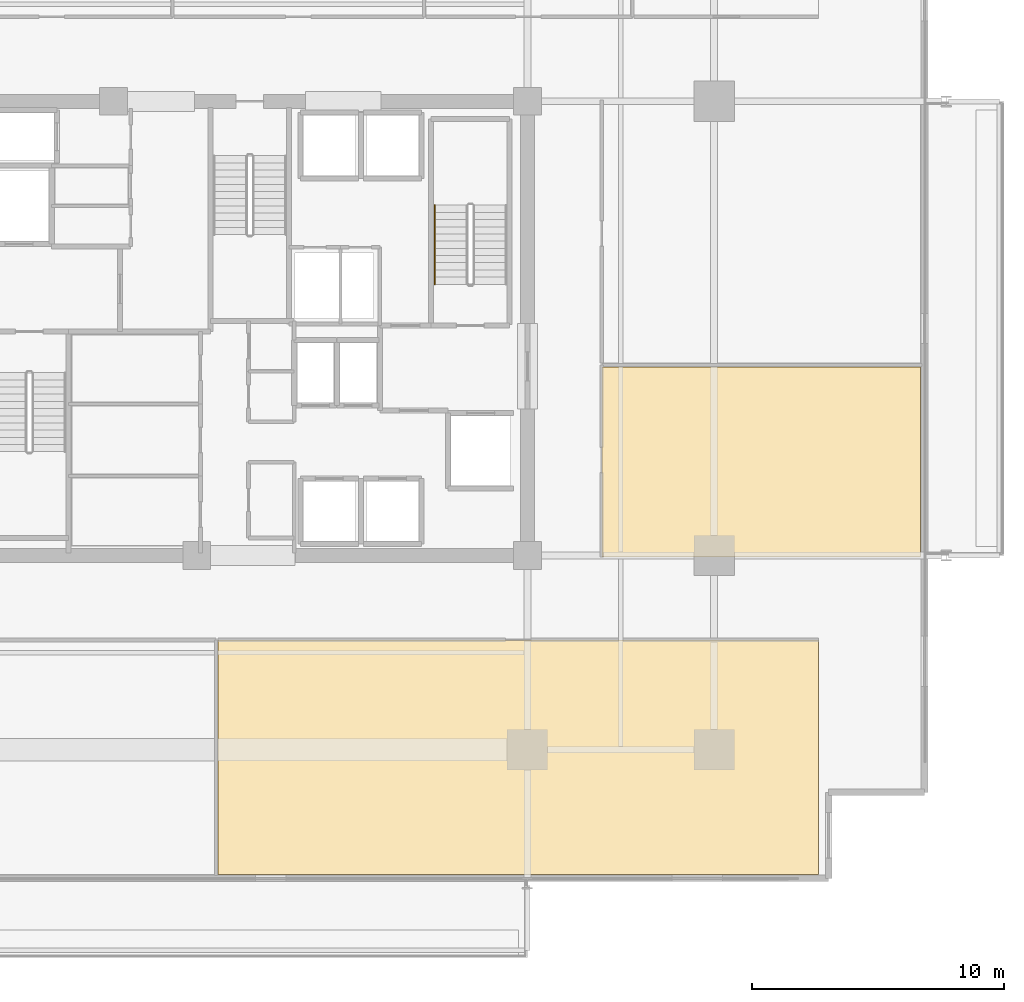
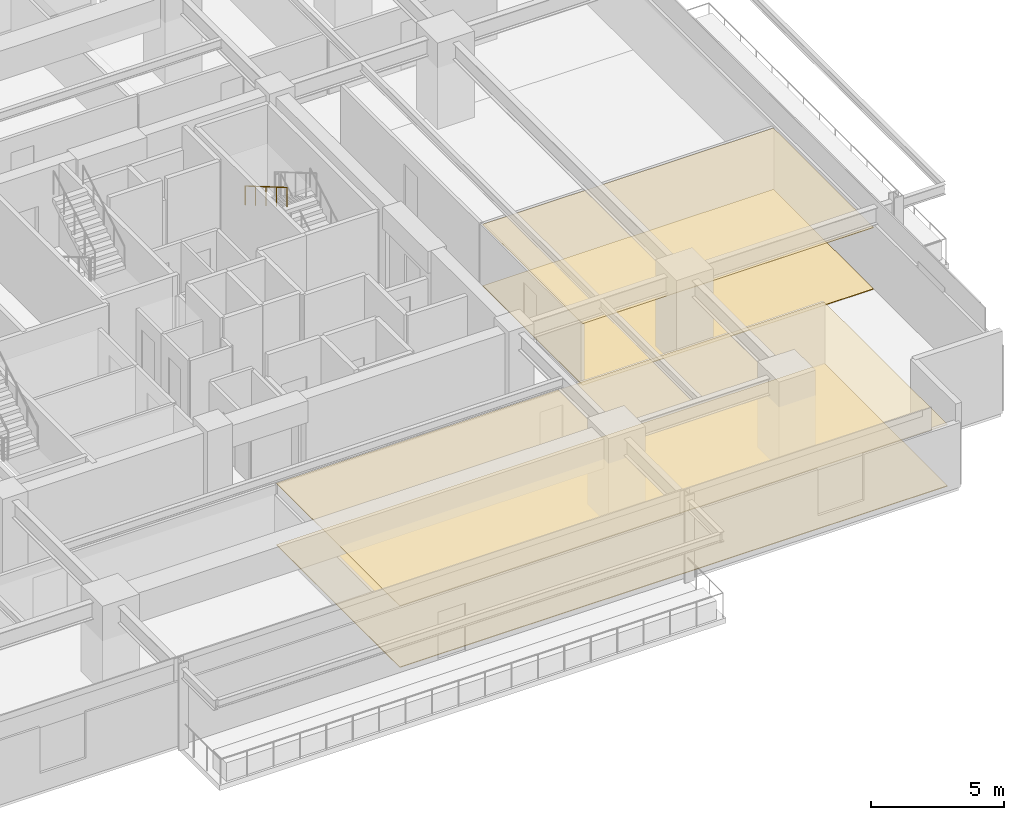
# One storey, part 19 of 21: 4 coverings, 1 railing.
"""IFC4 building model written with IfcOpenShell, lengths in metres."""

from ifc_helpers import new_model, si_unit, direction, frame, origin, origin_2d, place, context, subcontext, project, spatial, polyline, circle, outline, extrude, material, layer, layer_set, type_object, element, save


model = new_model("IFC4")

# Units and contexts
model_context = context("Model", 3, precision=1e-05, world=origin(), true_north=direction((0.0, 1.0)))
body_context = subcontext(model_context, "Body", "Model", "MODEL_VIEW")
ifc_project = project(units=[si_unit("LENGTHUNIT", "METRE"), si_unit("AREAUNIT", "SQUARE_METRE"), si_unit("VOLUMEUNIT", "CUBIC_METRE"), si_unit("PLANEANGLEUNIT", "RADIAN"), si_unit("MASSUNIT", "GRAM", prefix="KILO")], contexts=[model_context])

# Site, building, storey
site_placement = place(None, origin())
site = spatial("IfcSite", under=ifc_project, at=site_placement, CompositionType="ELEMENT")
building_placement = place(site_placement, origin())
building = spatial("IfcBuilding", under=site, at=building_placement, Name="Kovane Verandah Tower", CompositionType="ELEMENT")
storey_placement = place(building_placement, frame((0.0, 0.0, 172.39990234375)))
storey = spatial("IfcBuildingStorey", under=building, at=storey_placement, Name="L40", CompositionType="ELEMENT", Elevation=172.39990234375)

# Coverings
ifc_material_1 = material(Name="Perforated Acoustic Mineral-Fibre Ceiling Tile", Category="gypsum")
ifc_layer_1 = layer(ifc_material_1, 0.02490234375)
ifc_layer_set_1 = layer_set([ifc_layer_1], Name="Perforated Acoustic Mineral-Fibre Ceiling Tile")
covering_type_1 = type_object("IfcCoveringType", Name="CV-CEIL-25", PredefinedType="CEILING", material=ifc_layer_set_1)
covering_1_placement = place(storey_placement, frame((0.0, 0.0, 2.8251953125)))
element("IfcCovering", 1, at=covering_1_placement, inside=storey, type_object=covering_type_1, Name="L40 Meeting Room S2 Acoustic Ceiling", PredefinedType="CEILING", context=body_context, shape_type="SweptSolid", body=[
    extrude(outline(polyline([(38.733642578125, 5.860595703125), (62.538818359375, 5.860595703125), (62.538818359375, 15.14990234375), (38.733642578125, 15.14990234375), (38.733642578125, 5.860595703125)])), origin(), (0.0, 0.0, 1.0), 0.02490234375),
])
covering_2_placement = place(storey_placement, frame((0.0, 0.0, 2.8251953125)))
element("IfcCovering", 2, at=covering_2_placement, inside=storey, type_object=covering_type_1, Name="L40 Breakout Pantry E1 Acoustic Ceiling", PredefinedType="CEILING", context=body_context, shape_type="SweptSolid", body=[
    extrude(outline(polyline([(53.949951171875, 18.449951171875), (66.588623046875, 18.449951171875), (66.588623046875, 25.98193359375), (53.949951171875, 25.98193359375), (53.949951171875, 18.449951171875)])), origin(), (0.0, 0.0, 1.0), 0.02490234375),
])
ifc_material_2 = material(Name="Polished Terrazzo and Raised-Access Carpet Tile Finish", Category="concrete")
ifc_layer_2 = layer(ifc_material_2, 0.030029296875)
ifc_layer_set_2 = layer_set([ifc_layer_2], Name="Polished Terrazzo and Raised-Access Carpet Tile Finish")
covering_type_2 = type_object("IfcCoveringType", Name="CV-FLOR-30", PredefinedType="FLOORING", material=ifc_layer_set_2)
covering_3_placement = place(storey_placement, origin())
element("IfcCovering", 3, at=covering_3_placement, inside=storey, type_object=covering_type_2, Name="L40 Meeting Room S2 Floor Finish", PredefinedType="FLOORING", context=body_context, shape_type="SweptSolid", body=[
    extrude(outline(polyline([(38.733642578125, 5.860595703125), (62.538818359375, 5.860595703125), (62.538818359375, 15.14990234375), (38.733642578125, 15.14990234375), (38.733642578125, 5.860595703125)])), origin(), (0.0, 0.0, 1.0), 0.030029296875),
])
covering_4_placement = place(storey_placement, origin())
element("IfcCovering", 4, at=covering_4_placement, inside=storey, type_object=covering_type_2, Name="L40 Breakout Pantry E1 Floor Finish", PredefinedType="FLOORING", context=body_context, shape_type="SweptSolid", body=[
    extrude(outline(polyline([(53.949951171875, 18.449951171875), (66.588623046875, 18.449951171875), (66.588623046875, 25.98193359375), (53.949951171875, 25.98193359375), (53.949951171875, 18.449951171875)])), origin(), (0.0, 0.0, 1.0), 0.030029296875),
])

# Railing
ifc_material_3 = material(Name="Brushed Stainless Steel Handrail", Category="steel")
railing_type = type_object("IfcRailingType", Name="RL-HAND-920", PredefinedType="HANDRAIL", material=ifc_material_3)
railing_placement = place(storey_placement, frame((47.330078125, 32.385009765625, 2.166748046875)))
element("IfcRailing", 5, at=railing_placement, inside=storey, type_object=railing_type, Name="L40 ST-02 stair handrail 2", PredefinedType="HANDRAIL", context=body_context, shape_type="SweptSolid", body=[
    extrude(circle(Radius=0.02392578125, at=origin_2d()), frame((0.0, 0.0, 0.8759765625), z_axis=(0.0, -0.863239559939, 0.504794475164), x_axis=(1.0, 0.0, 0.0)), (0.0, 0.0, 1.0), 3.631591796875),
    extrude(circle(Radius=0.02099609375, at=origin_2d()), origin(), (0.0, 0.0, 1.0), 0.851806640625),
    extrude(circle(Radius=0.02099609375, at=origin_2d()), frame((0.0, -0.78369140625, 0.458251953125)), (0.0, 0.0, 1.0), 0.851806640625),
    extrude(circle(Radius=0.02099609375, at=origin_2d()), frame((0.0, -1.5673828125, 0.91650390625)), (0.0, 0.0, 1.0), 0.851806640625),
    extrude(circle(Radius=0.02099609375, at=origin_2d()), frame((0.0, -2.351318359375, 1.375)), (0.0, 0.0, 1.0), 0.851806640625),
    extrude(circle(Radius=0.02099609375, at=origin_2d()), frame((0.0, -3.135009765625, 1.833251953125)), (0.0, 0.0, 1.0), 0.851806640625),
])

save(model, "model.ifc")
